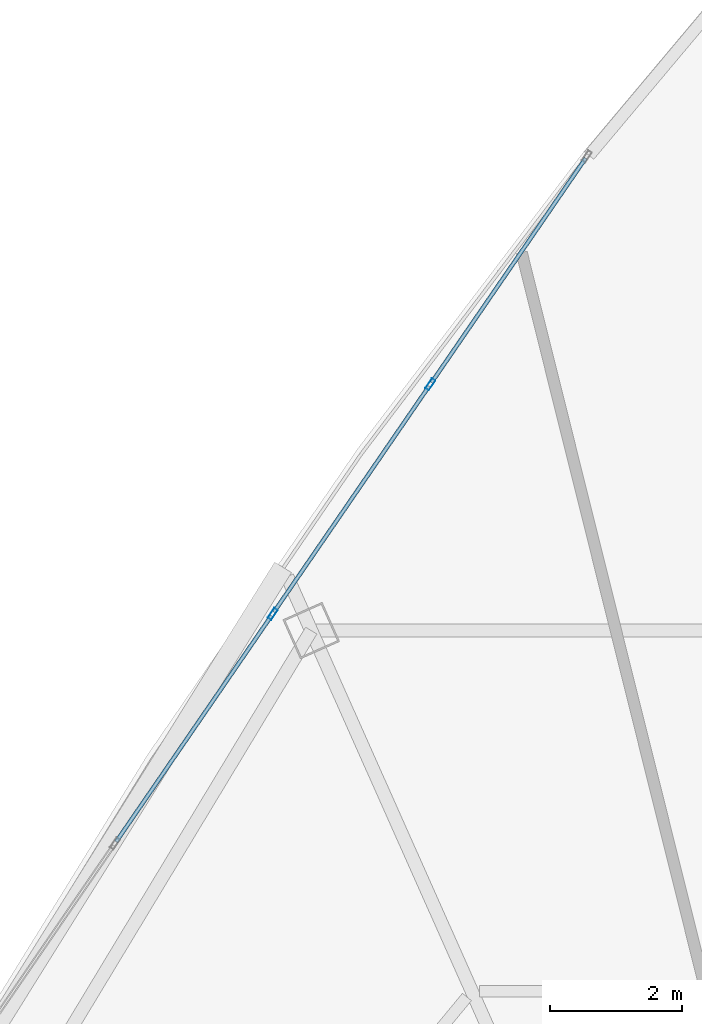
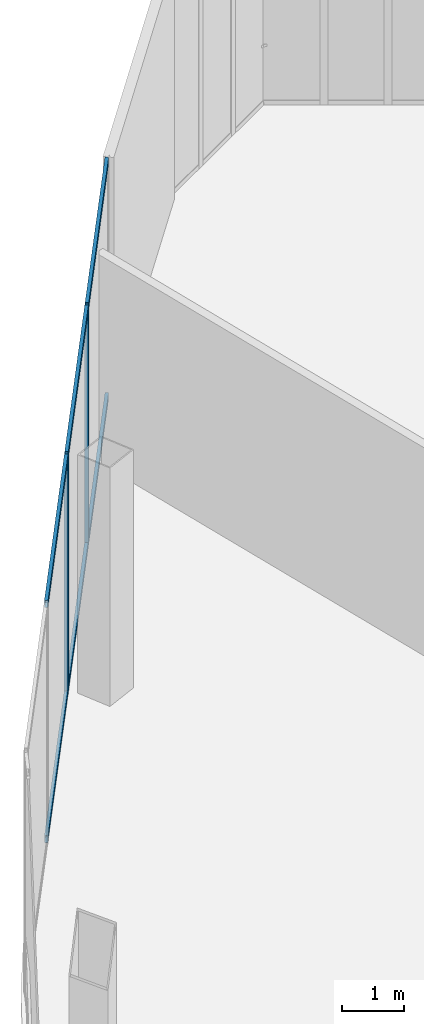
# One storey, part 23 of 32: 8 members, 1 element without a shape of its own.
"""IFC4 building model written with IfcOpenShell, lengths in metres."""

from ifc_helpers import new_model, si_unit, direction, frame, origin, origin_2d, place, context, subcontext, project, spatial, hollow_rectangle, extrude, source, transform, mapped, material, layer, layer_set, material_profile, profile_set, type_object, element, aggregate, save


model = new_model("IFC4")

# Units and contexts
model_context = context("Model", 3, precision=1e-05, world=origin(), true_north=direction((0.0, 1.0)))
body_context = subcontext(model_context, "Body", "Model", "MODEL_VIEW")
ifc_project = project(units=[si_unit("LENGTHUNIT", "METRE"), si_unit("AREAUNIT", "SQUARE_METRE"), si_unit("VOLUMEUNIT", "CUBIC_METRE"), si_unit("PLANEANGLEUNIT", "RADIAN"), si_unit("MASSUNIT", "GRAM", prefix="KILO"), si_unit("THERMODYNAMICTEMPERATUREUNIT", "KELVIN"), si_unit("POWERUNIT", "WATT")], contexts=[model_context])

# Site, building, storey
site_placement = place(None, origin())
site = spatial("IfcSite", under=ifc_project, at=site_placement, CompositionType="ELEMENT")
building_placement = place(site_placement, origin())
building = spatial("IfcBuilding", under=site, at=building_placement, Name="Yunzhuo Pagoda Commons", CompositionType="ELEMENT")
storey_placement = place(building_placement, frame((0.0, 0.0, 396.760009765625)))
storey = spatial("IfcBuildingStorey", under=building, at=storey_placement, Name="L98", CompositionType="ELEMENT", Elevation=396.760009765625)

# Curtain wall, members
ifc_material = material(Name="Anodized aluminium 6063-T6", Category="aluminium")
ifc_layer = layer(ifc_material, 0.179931640625)
ifc_layer_set = layer_set([ifc_layer], Name="Anodized aluminium 6063-T6")
curtain_wall_type = type_object("IfcCurtainWallType", Name="CW-CRN Crown Gable Glazing System", PredefinedType="NOTDEFINED", material=ifc_layer_set)
curtain_wall_placement = place(storey_placement, origin())
curtain_wall = element("IfcCurtainWall", 1, at=curtain_wall_placement, inside=storey, type_object=curtain_wall_type, Name="L98 curtain wall CW-L98-CRNF3G1", PredefinedType="NOTDEFINED")
ifc_material_profile_1 = material_profile(ifc_material, hollow_rectangle(XDim=0.06494140625, YDim=0.179931640625, WallThickness=0.00390625, at=origin_2d()), Name="Anodized aluminium 6063-T6")
ifc_profile_set_1 = profile_set([ifc_material_profile_1], Name="Anodized aluminium 6063-T6")
member_type_1 = type_object("IfcMemberType", Name="CW-CRN-M Mullion RHS 180x65x4", PredefinedType="MULLION", material=ifc_profile_set_1)
shared_shape_1 = source(origin(), body_context, "Body", "SweptSolid", [
    extrude(hollow_rectangle(XDim=0.06494140625, YDim=0.179931640625, WallThickness=0.00390625, at=origin_2d()), origin(), (0.0, 0.0, 1.0), 4.72021484375),
])
member_1_placement = place(storey_placement, frame((39.306640625, 61.014892578125, 0.0), z_axis=(0.0, 0.0, 1.0), x_axis=(0.824296116005, -0.566158911561, 0.0)))
member_1 = element("IfcMember", 2, at=member_1_placement, type_object=member_type_1, Name="CW mullion 2", PredefinedType="MULLION", context=body_context, shape_type="MappedRepresentation", body=[
    mapped(shared_shape_1, transform((0.0, 0.0, 0.0), scale=1.0)),
])
member_2_placement = place(storey_placement, frame((36.916015625, 57.5341796875, 0.0), z_axis=(0.0, 0.0, 1.0), x_axis=(0.824296116005, -0.566158911561, 0.0)))
member_2 = element("IfcMember", 3, at=member_2_placement, type_object=member_type_1, Name="CW mullion 3", PredefinedType="MULLION", context=body_context, shape_type="MappedRepresentation", body=[
    mapped(shared_shape_1, transform((0.0, 0.0, 0.0), scale=1.0)),
])
ifc_material_profile_2 = material_profile(ifc_material, hollow_rectangle(XDim=0.06005859375, YDim=0.139892578125, WallThickness=0.00341796875, at=origin_2d()), Name="Anodized aluminium 6063-T6")
ifc_profile_set_2 = profile_set([ifc_material_profile_2], Name="Anodized aluminium 6063-T6")
member_type_2 = type_object("IfcMemberType", Name="CW-CRN-T Transom RHS 140x60x3.5", PredefinedType="USERDEFINED", material=ifc_profile_set_2)
shared_shape_2 = source(origin(), body_context, "Body", "SweptSolid", [
    extrude(hollow_rectangle(XDim=0.06005859375, YDim=0.139892578125, WallThickness=0.00341796875, at=origin_2d()), origin(), (0.0, 0.0, 1.0), 4.12548828125),
])
member_3_placement = place(storey_placement, frame((41.660888671875, 64.442138671875, 0.030029296875), z_axis=(-0.566159568277, -0.824295664946, 0.0), x_axis=(0.824295664946, -0.566159568277, 0.0)))
member_3 = element("IfcMember", 4, at=member_3_placement, type_object=member_type_2, Name="CW transom 1.1", ObjectType="TRANSOM", PredefinedType="USERDEFINED", context=body_context, shape_type="MappedRepresentation", body=[
    mapped(shared_shape_2, transform((0.0, 0.0, 0.0), scale=1.0)),
])
member_4_placement = place(storey_placement, frame((41.660888671875, 64.442138671875, 4.68994140625), z_axis=(-0.566159568277, -0.824295664946, 0.0), x_axis=(0.824295664946, -0.566159568277, 0.0)))
member_4 = element("IfcMember", 5, at=member_4_placement, type_object=member_type_2, Name="CW transom 1.2", ObjectType="TRANSOM", PredefinedType="USERDEFINED", context=body_context, shape_type="MappedRepresentation", body=[
    mapped(shared_shape_2, transform((0.0, 0.0, 0.0), scale=1.0)),
])
shared_shape_3 = source(origin(), body_context, "Body", "SweptSolid", [
    extrude(hollow_rectangle(XDim=0.06005859375, YDim=0.139892578125, WallThickness=0.00341796875, at=origin_2d()), origin(), (0.0, 0.0, 1.0), 4.15771484375),
])
member_5_placement = place(storey_placement, frame((39.288330078125, 60.988037109375, 0.030029296875), z_axis=(-0.566164930277, -0.824291982082, 0.0), x_axis=(0.824291982082, -0.566164930277, 0.0)))
member_5 = element("IfcMember", 6, at=member_5_placement, type_object=member_type_2, Name="CW transom 2.1", ObjectType="TRANSOM", PredefinedType="USERDEFINED", context=body_context, shape_type="MappedRepresentation", body=[
    mapped(shared_shape_3, transform((0.0, 0.0, 0.0), scale=1.0)),
])
member_6_placement = place(storey_placement, frame((39.288330078125, 60.988037109375, 4.68994140625), z_axis=(-0.566164930277, -0.824291982082, 0.0), x_axis=(0.824291982082, -0.566164930277, 0.0)))
member_6 = element("IfcMember", 7, at=member_6_placement, type_object=member_type_2, Name="CW transom 2.2", ObjectType="TRANSOM", PredefinedType="USERDEFINED", context=body_context, shape_type="MappedRepresentation", body=[
    mapped(shared_shape_3, transform((0.0, 0.0, 0.0), scale=1.0)),
])
member_7_placement = place(storey_placement, frame((36.897705078125, 57.50732421875, 0.030029296875), z_axis=(-0.566164930277, -0.824291982082, 0.0), x_axis=(0.824291982082, -0.566164930277, 0.0)))
member_7 = element("IfcMember", 8, at=member_7_placement, type_object=member_type_2, Name="CW transom 3.1", ObjectType="TRANSOM", PredefinedType="USERDEFINED", context=body_context, shape_type="MappedRepresentation", body=[
    mapped(shared_shape_3, transform((0.0, 0.0, 0.0), scale=1.0)),
])
member_8_placement = place(storey_placement, frame((36.897705078125, 57.50732421875, 4.68994140625), z_axis=(-0.566164930277, -0.824291982082, 0.0), x_axis=(0.824291982082, -0.566164930277, 0.0)))
member_8 = element("IfcMember", 9, at=member_8_placement, type_object=member_type_2, Name="CW transom 3.2", ObjectType="TRANSOM", PredefinedType="USERDEFINED", context=body_context, shape_type="MappedRepresentation", body=[
    mapped(shared_shape_3, transform((0.0, 0.0, 0.0), scale=1.0)),
])
aggregate(curtain_wall, [member_1, member_2, member_3, member_4, member_5, member_6, member_7, member_8])

save(model, "model.ifc")
